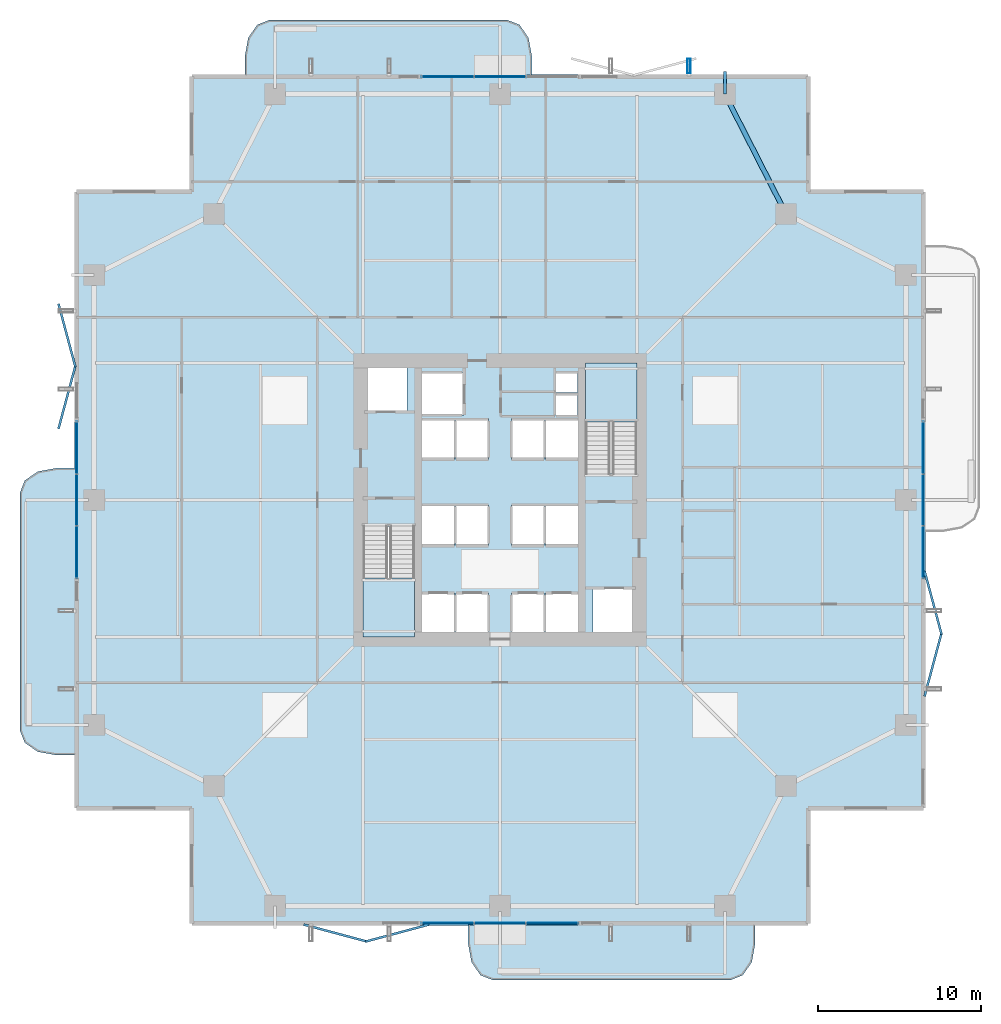
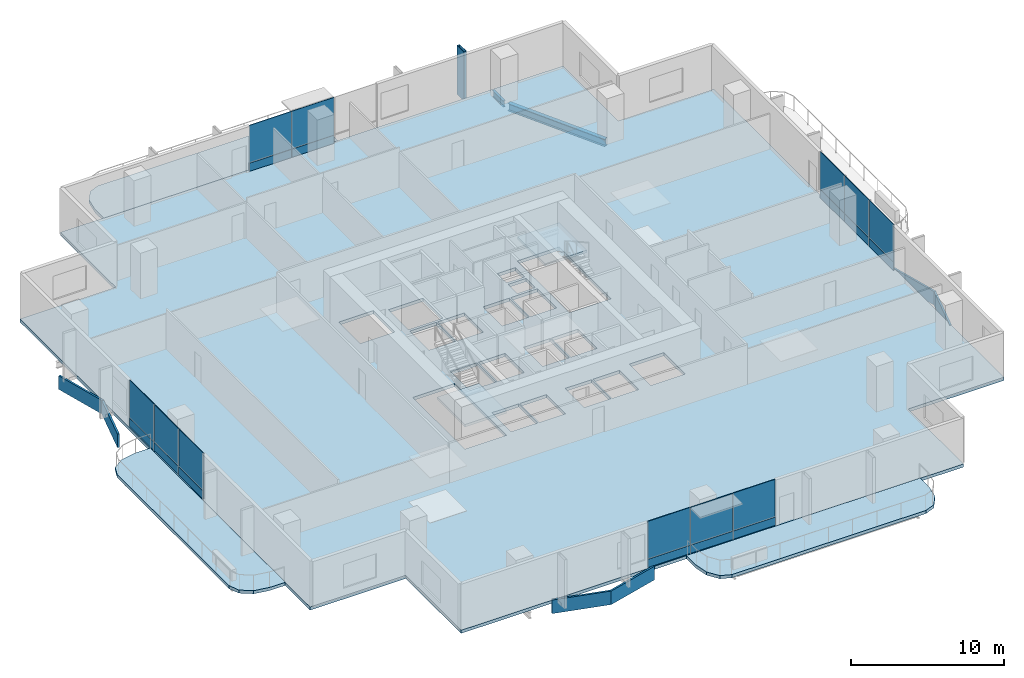
# One storey, part 16 of 24: 28 plates, 6 slabs, 2 beams, 1 member, 6 elements without a shape of their own.
"""IFC4 building model written with IfcOpenShell, lengths in metres."""

from ifc_helpers import new_model, si_unit, direction, frame, origin, origin_2d, place, context, subcontext, project, spatial, polyline, rectangle, hollow_rectangle, i_section, outline, extrude, material, layer, layer_set, material_profile, profile_set, type_object, element, aggregate, save


model = new_model("IFC4")

# Units and contexts
model_context = context("Model", 3, precision=1e-05, world=origin(), true_north=direction((0.0, 1.0)))
body_context = subcontext(model_context, "Body", "Model", "MODEL_VIEW")
ifc_project = project(units=[si_unit("LENGTHUNIT", "METRE"), si_unit("AREAUNIT", "SQUARE_METRE"), si_unit("VOLUMEUNIT", "CUBIC_METRE"), si_unit("PLANEANGLEUNIT", "RADIAN"), si_unit("MASSUNIT", "GRAM", prefix="KILO")], contexts=[model_context])

# Site, building, storey
site_placement = place(None, origin())
site = spatial("IfcSite", under=ifc_project, at=site_placement, CompositionType="ELEMENT")
building_placement = place(site_placement, origin())
building = spatial("IfcBuilding", under=site, at=building_placement, Name="Belovzor Exchange Tower", CompositionType="ELEMENT")
storey_placement = place(building_placement, frame((0.0, 0.0, 129.0)))
storey = spatial("IfcBuildingStorey", under=building, at=storey_placement, Name="L31", CompositionType="ELEMENT", Elevation=129.0)

# Beam
ifc_material_1 = material(Name="Steel S355", Category="steel")
ifc_material_profile_1 = material_profile(ifc_material_1, i_section(OverallWidth=0.199951171875, OverallDepth=0.5, WebThickness=0.01025390625, FlangeThickness=0.01611328125, at=origin_2d()))
ifc_profile_set_1 = profile_set([ifc_material_profile_1], Name="Steel S355")
beam_type_1 = type_object("IfcBeamType", Name="Planted Balcony Cantilever Beam IPE 500", PredefinedType="BEAM", material=ifc_profile_set_1)
beam_1_placement = place(storey_placement, frame((42.60009765625, 53.699951171875, -0.5), z_axis=(0.0, 1.0, 0.0), x_axis=(-1.0, 0.0, 0.0)))
element("IfcBeam", 1, at=beam_1_placement, inside=storey, type_object=beam_type_1, Name="BC-500 Planted Balcony Cantilever Beam IPE 500", PredefinedType="BEAM", context=body_context, shape_type="SweptSolid", body=[
    extrude(i_section(OverallWidth=0.199951171875, OverallDepth=0.5, WebThickness=0.01025390625, FlangeThickness=0.01611328125, at=origin_2d()), origin(), (0.0, 0.0, 1.0), 1.400146484375),
])

# Member
ifc_material_2 = material(Name="Extruded Architectural Terracotta on Steel S355 Carrier", Category="masonry")
ifc_material_profile_2 = material_profile(ifc_material_2, hollow_rectangle(XDim=0.199951171875, YDim=0.89990234375, WallThickness=0.011962890625, at=origin_2d()))
ifc_profile_set_2 = profile_set([ifc_material_profile_2], Name="Extruded Architectural Terracotta on Steel S355 Carrier")
member_type = type_object("IfcMemberType", Name="Sweeping Terracotta Baguette Fin Assembly 1250", PredefinedType="USERDEFINED", material=ifc_profile_set_2)
member_placement = place(storey_placement, frame((40.39990234375, 55.425048828125, -0.25), z_axis=(0.0, 0.0, 1.0), x_axis=(1.0, 0.0, 0.0)))
element("IfcMember", 2, at=member_placement, inside=storey, type_object=member_type, Name="FIN-TC125 Terracotta Facade Fin L31 N4", ObjectType="FIN", PredefinedType="USERDEFINED", context=body_context, shape_type="SweptSolid", body=[
    extrude(hollow_rectangle(XDim=0.199951171875, YDim=0.89990234375, WallThickness=0.011962890625, at=origin_2d()), origin(), (0.0, 0.0, 1.0), 3.89990234375),
])

# Beam
ifc_material_3 = material(Name="Steel S355", Category="steel")
ifc_material_profile_3 = material_profile(ifc_material_3, i_section(OverallWidth=0.300048828125, OverallDepth=0.60009765625, WebThickness=0.015380859375, FlangeThickness=0.030029296875, at=origin_2d()))
ifc_profile_set_3 = profile_set([ifc_material_profile_3], Name="Steel S355")
beam_type_2 = type_object("IfcBeamType", Name="Zone 2 Primary Perimeter Girder HEB 600", PredefinedType="BEAM", material=ifc_profile_set_3)
beam_2_placement = place(storey_placement, frame((46.18798828125, 46.66796875, -0.550048828125), z_axis=(-0.454518593109, 0.890737249989, 0.0), x_axis=(-0.890737249989, -0.454518593109, 0.0)))
element("IfcBeam", 3, at=beam_2_placement, inside=storey, type_object=beam_type_2, Name="FG-Z2 Zone 2 Primary Perimeter Girder HEB 600", PredefinedType="BEAM", context=body_context, shape_type="SweptSolid", body=[
    extrude(i_section(OverallWidth=0.300048828125, OverallDepth=0.60009765625, WebThickness=0.015380859375, FlangeThickness=0.030029296875, at=origin_2d()), origin(), (0.0, 0.0, 1.0), 7.53759765625),
])

# Slab
ifc_material_4 = material(Name="Concrete C40/50", Category="concrete")
ifc_layer_1 = layer(ifc_material_4, 0.25)
ifc_layer_set_1 = layer_set([ifc_layer_1], Name="Concrete C40/50")
slab_type_1 = type_object("IfcSlabType", Name="Composite Concrete Floor Deck Slab 250", PredefinedType="FLOOR", material=ifc_layer_set_1)
slab_1_placement = place(storey_placement, frame((0.0, 0.0, -0.25)))
element("IfcSlab", 4, at=slab_1_placement, inside=storey, type_object=slab_type_1, Name="SL-F250 Structural Slab L31", PredefinedType="FLOOR", context=body_context, shape_type="SweptSolid", body=[
    extrude(outline(polyline([(9.89990234375, 2.699951171875), (47.699951171875, 2.699951171875), (47.699951171875, 9.89990234375), (54.89990234375, 9.89990234375), (54.89990234375, 47.699951171875), (47.699951171875, 47.699951171875), (47.699951171875, 54.89990234375), (9.89990234375, 54.89990234375), (9.89990234375, 47.699951171875), (2.699951171875, 47.699951171875), (2.699951171875, 9.89990234375), (9.89990234375, 9.89990234375), (9.89990234375, 2.699951171875)]), holes=[polyline([(20.39990234375, 27.175048828125), (20.39990234375, 20.39990234375), (23.550048828125, 20.39990234375), (23.550048828125, 27.175048828125), (20.39990234375, 27.175048828125)]), polyline([(37.199951171875, 30.425048828125), (37.199951171875, 37.199951171875), (34.050048828125, 37.199951171875), (34.050048828125, 30.425048828125), (37.199951171875, 30.425048828125)]), polyline([(20.5, 34.199951171875), (23.10009765625, 34.199951171875), (23.10009765625, 37.0), (20.5, 37.0), (20.5, 34.199951171875)]), polyline([(34.5, 20.60009765625), (37.10009765625, 20.60009765625), (37.10009765625, 23.39990234375), (34.5, 23.39990234375), (34.5, 20.60009765625)]), polyline([(24.0, 34.0), (26.60009765625, 34.0), (26.60009765625, 36.60009765625), (24.0, 36.60009765625), (24.0, 34.0)]), polyline([(24.0, 20.60009765625), (26.0, 20.60009765625), (26.0, 23.10009765625), (24.0, 23.10009765625), (24.0, 20.60009765625)]), polyline([(26.10009765625, 20.60009765625), (28.10009765625, 20.60009765625), (28.10009765625, 23.10009765625), (26.10009765625, 23.10009765625), (26.10009765625, 20.60009765625)]), polyline([(29.5, 20.60009765625), (31.5, 20.60009765625), (31.5, 23.10009765625), (29.5, 23.10009765625), (29.5, 20.60009765625)]), polyline([(31.60009765625, 20.60009765625), (33.60009765625, 20.60009765625), (33.60009765625, 23.10009765625), (31.60009765625, 23.10009765625), (31.60009765625, 20.60009765625)]), polyline([(24.0, 26.0), (26.0, 26.0), (26.0, 28.5), (24.0, 28.5), (24.0, 26.0)]), polyline([(26.10009765625, 26.0), (28.10009765625, 26.0), (28.10009765625, 28.5), (26.10009765625, 28.5), (26.10009765625, 26.0)]), polyline([(29.5, 26.0), (31.5, 26.0), (31.5, 28.5), (29.5, 28.5), (29.5, 26.0)]), polyline([(31.60009765625, 26.0), (33.60009765625, 26.0), (33.60009765625, 28.5), (31.60009765625, 28.5), (31.60009765625, 26.0)]), polyline([(24.0, 31.300048828125), (26.0, 31.300048828125), (26.0, 33.800048828125), (24.0, 33.800048828125), (24.0, 31.300048828125)]), polyline([(26.10009765625, 31.300048828125), (28.10009765625, 31.300048828125), (28.10009765625, 33.800048828125), (26.10009765625, 33.800048828125), (26.10009765625, 31.300048828125)]), polyline([(29.5, 31.300048828125), (31.5, 31.300048828125), (31.5, 33.800048828125), (29.5, 33.800048828125), (29.5, 31.300048828125)]), polyline([(31.60009765625, 31.300048828125), (33.60009765625, 31.300048828125), (33.60009765625, 33.800048828125), (31.60009765625, 33.800048828125), (31.60009765625, 31.300048828125)]), polyline([(32.199951171875, 34.0), (33.550048828125, 34.0), (33.550048828125, 35.199951171875), (32.199951171875, 35.199951171875), (32.199951171875, 34.0)]), polyline([(32.199951171875, 35.39990234375), (33.550048828125, 35.39990234375), (33.550048828125, 36.60009765625), (32.199951171875, 36.60009765625), (32.199951171875, 35.39990234375)])]), origin(), (0.0, 0.0, 1.0), 0.25),
])

# Curtain wall, plates
ifc_material_5 = material(Name="Anodised Aluminium Framing", Category="aluminium")
ifc_layer_2 = layer(ifc_material_5, 0.179931640625)
ifc_layer_set_2 = layer_set([ifc_layer_2], Name="Anodised Aluminium Framing")
curtain_wall_type = type_object("IfcCurtainWallType", Name="Recessed Loggia Low-Iron Triple-Glazed Curtain Wall", PredefinedType="NOTDEFINED", material=ifc_layer_set_2)
curtain_wall_1_placement = place(storey_placement, origin())
curtain_wall_1 = element("IfcCurtainWall", 5, at=curtain_wall_1_placement, inside=storey, type_object=curtain_wall_type, Name="CW3 Recessed Loggia Low-Iron Triple-Glazed Curtain Wall L31", PredefinedType="NOTDEFINED")
ifc_material_6 = material(Name="Solar-Control Triple Glazing", Category="glass")
ifc_layer_3 = layer(ifc_material_6, 0.0439453125)
ifc_layer_set_3 = layer_set([ifc_layer_3], Name="Solar-Control Triple Glazing")
plate_type_1 = type_object("IfcPlateType", Name="Insulated Solar Glazing Curtain Panel 44", PredefinedType="CURTAIN_PANEL", material=ifc_layer_set_3)
plate_1_placement = place(storey_placement, frame((32.0, 2.830078125, 0.65185546875), z_axis=(0.0, 0.0, 1.0), x_axis=(-1.0, 0.0, 0.0)))
plate_1 = element("IfcPlate", 6, at=plate_1_placement, type_object=plate_type_1, Name="GLZ-44 Glazed Curtain Panel 1", PredefinedType="CURTAIN_PANEL", context=body_context, shape_type="SweptSolid", body=[
    extrude(rectangle(XDim=3.18408203125, YDim=0.0439453125, at=origin_2d()), origin(), (0.0, 0.0, 1.0), 2.998046875),
])
plate_2_placement = place(storey_placement, frame((28.800048828125, 2.830078125, 0.65185546875), z_axis=(0.0, 0.0, 1.0), x_axis=(-1.0, 0.0, 0.0)))
plate_2 = element("IfcPlate", 7, at=plate_2_placement, type_object=plate_type_1, Name="GLZ-44 Glazed Curtain Panel 2", PredefinedType="CURTAIN_PANEL", context=body_context, shape_type="SweptSolid", body=[
    extrude(rectangle(XDim=3.18408203125, YDim=0.0439453125, at=origin_2d()), origin(), (0.0, 0.0, 1.0), 2.998046875),
])
plate_3_placement = place(storey_placement, frame((25.60009765625, 2.830078125, 0.65185546875), z_axis=(0.0, 0.0, 1.0), x_axis=(-1.0, 0.0, 0.0)))
plate_3 = element("IfcPlate", 8, at=plate_3_placement, type_object=plate_type_1, Name="GLZ-44 Glazed Curtain Panel 3", PredefinedType="CURTAIN_PANEL", context=body_context, shape_type="SweptSolid", body=[
    extrude(rectangle(XDim=3.18408203125, YDim=0.0439453125, at=origin_2d()), origin(), (0.0, 0.0, 1.0), 2.998046875),
])

curtain_wall_2_placement = place(storey_placement, origin())
curtain_wall_2 = element("IfcCurtainWall", 9, at=curtain_wall_2_placement, inside=storey, type_object=curtain_wall_type, Name="CW3 Recessed Loggia Low-Iron Triple-Glazed Curtain Wall L31", PredefinedType="NOTDEFINED")
plate_4_placement = place(storey_placement, frame((25.60009765625, 54.77001953125, 0.65185546875), z_axis=(0.0, 0.0, 1.0), x_axis=(1.0, 0.0, 0.0)))
plate_4 = element("IfcPlate", 10, at=plate_4_placement, type_object=plate_type_1, Name="GLZ-44 Glazed Curtain Panel 1", PredefinedType="CURTAIN_PANEL", context=body_context, shape_type="SweptSolid", body=[
    extrude(rectangle(XDim=3.18408203125, YDim=0.0439453125, at=origin_2d()), origin(), (0.0, 0.0, 1.0), 2.998046875),
])
plate_5_placement = place(storey_placement, frame((28.800048828125, 54.77001953125, 0.65185546875), z_axis=(0.0, 0.0, 1.0), x_axis=(1.0, 0.0, 0.0)))
plate_5 = element("IfcPlate", 11, at=plate_5_placement, type_object=plate_type_1, Name="GLZ-44 Glazed Curtain Panel 2", PredefinedType="CURTAIN_PANEL", context=body_context, shape_type="SweptSolid", body=[
    extrude(rectangle(XDim=3.18408203125, YDim=0.0439453125, at=origin_2d()), origin(), (0.0, 0.0, 1.0), 2.998046875),
])

curtain_wall_3_placement = place(storey_placement, origin())
curtain_wall_3 = element("IfcCurtainWall", 12, at=curtain_wall_3_placement, inside=storey, type_object=curtain_wall_type, Name="CW3 Recessed Loggia Low-Iron Triple-Glazed Curtain Wall L31", PredefinedType="NOTDEFINED")
plate_6_placement = place(storey_placement, frame((2.830078125, 25.60009765625, 0.65185546875), z_axis=(0.0, 0.0, 1.0), x_axis=(0.0, 1.0, 0.0)))
plate_6 = element("IfcPlate", 13, at=plate_6_placement, type_object=plate_type_1, Name="GLZ-44 Glazed Curtain Panel 1", PredefinedType="CURTAIN_PANEL", context=body_context, shape_type="SweptSolid", body=[
    extrude(rectangle(XDim=3.18408203125, YDim=0.0439453125, at=origin_2d()), origin(), (0.0, 0.0, 1.0), 2.998046875),
])
plate_7_placement = place(storey_placement, frame((2.830078125, 28.800048828125, 0.65185546875), z_axis=(0.0, 0.0, 1.0), x_axis=(0.0, 1.0, 0.0)))
plate_7 = element("IfcPlate", 14, at=plate_7_placement, type_object=plate_type_1, Name="GLZ-44 Glazed Curtain Panel 2", PredefinedType="CURTAIN_PANEL", context=body_context, shape_type="SweptSolid", body=[
    extrude(rectangle(XDim=3.18408203125, YDim=0.0439453125, at=origin_2d()), origin(), (0.0, 0.0, 1.0), 2.998046875),
])
plate_8_placement = place(storey_placement, frame((2.830078125, 32.0, 0.65185546875), z_axis=(0.0, 0.0, 1.0), x_axis=(0.0, 1.0, 0.0)))
plate_8 = element("IfcPlate", 15, at=plate_8_placement, type_object=plate_type_1, Name="GLZ-44 Glazed Curtain Panel 3", PredefinedType="CURTAIN_PANEL", context=body_context, shape_type="SweptSolid", body=[
    extrude(rectangle(XDim=3.18408203125, YDim=0.0439453125, at=origin_2d()), origin(), (0.0, 0.0, 1.0), 2.998046875),
])

curtain_wall_4_placement = place(storey_placement, origin())
curtain_wall_4 = element("IfcCurtainWall", 16, at=curtain_wall_4_placement, inside=storey, type_object=curtain_wall_type, Name="CW3 Recessed Loggia Low-Iron Triple-Glazed Curtain Wall L31", PredefinedType="NOTDEFINED")
plate_9_placement = place(storey_placement, frame((54.77001953125, 32.0, 0.65185546875), z_axis=(0.0, 0.0, 1.0), x_axis=(0.0, -1.0, 0.0)))
plate_9 = element("IfcPlate", 17, at=plate_9_placement, type_object=plate_type_1, Name="GLZ-44 Glazed Curtain Panel 1", PredefinedType="CURTAIN_PANEL", context=body_context, shape_type="SweptSolid", body=[
    extrude(rectangle(XDim=3.18408203125, YDim=0.0439453125, at=origin_2d()), origin(), (0.0, 0.0, 1.0), 2.998046875),
])
plate_10_placement = place(storey_placement, frame((54.77001953125, 28.800048828125, 0.65185546875), z_axis=(0.0, 0.0, 1.0), x_axis=(0.0, -1.0, 0.0)))
plate_10 = element("IfcPlate", 18, at=plate_10_placement, type_object=plate_type_1, Name="GLZ-44 Glazed Curtain Panel 2", PredefinedType="CURTAIN_PANEL", context=body_context, shape_type="SweptSolid", body=[
    extrude(rectangle(XDim=3.18408203125, YDim=0.0439453125, at=origin_2d()), origin(), (0.0, 0.0, 1.0), 2.998046875),
])
plate_11_placement = place(storey_placement, frame((54.77001953125, 25.60009765625, 0.65185546875), z_axis=(0.0, 0.0, 1.0), x_axis=(0.0, -1.0, 0.0)))
plate_11 = element("IfcPlate", 19, at=plate_11_placement, type_object=plate_type_1, Name="GLZ-44 Glazed Curtain Panel 3", PredefinedType="CURTAIN_PANEL", context=body_context, shape_type="SweptSolid", body=[
    extrude(rectangle(XDim=3.18408203125, YDim=0.0439453125, at=origin_2d()), origin(), (0.0, 0.0, 1.0), 2.998046875),
])

# Plates
ifc_material_7 = material(Name="Extruded Architectural Terracotta", Category="masonry")
ifc_layer_4 = layer(ifc_material_7, 0.139892578125)
ifc_layer_set_4 = layer_set([ifc_layer_4], Name="Extruded Architectural Terracotta")
plate_type_2 = type_object("IfcPlateType", Name="Mid-Tower Folded Zigzag Terracotta Spandrel Louvre 120", PredefinedType="USERDEFINED", material=ifc_layer_set_4)
for number, where, z_axis, x_axis, name in (
    (20, (18.699951171875, 2.22998046875, -1.06494140625), (0.0, 0.0, 1.0), (0.965812803231, -0.259240485101, 0.0), "LVR-ZZ2 Zigzag Terracotta Spandrel Louvre L31 S1A"),
    (21, (22.5, 2.22998046875, -1.06494140625), (0.0, 0.0, 1.0), (0.965812803231, 0.259240485101, 0.0), "LVR-ZZ2 Zigzag Terracotta Spandrel Louvre L31 S1B"),
    (22, (55.3701171875, 18.699951171875, -1.06494140625), (0.0, 0.0, 1.0), (0.259240485101, 0.965812803231, 0.0), "LVR-ZZ2 Zigzag Terracotta Spandrel Louvre L31 E1A"),
    (23, (55.3701171875, 22.5, -1.06494140625), (0.0, 0.0, 1.0), (-0.259240485101, 0.965812803231, 0.0), "LVR-ZZ2 Zigzag Terracotta Spandrel Louvre L31 E1B"),
    (24, (2.22998046875, 35.10009765625, -1.06494140625), (0.0, 0.0, 1.0), (0.259240485101, 0.965812803231, 0.0), "LVR-ZZ2 Zigzag Terracotta Spandrel Louvre L31 W2A"),
    (25, (2.22998046875, 38.89990234375, -1.06494140625), (0.0, 0.0, 1.0), (-0.259240485101, 0.965812803231, 0.0), "LVR-ZZ2 Zigzag Terracotta Spandrel Louvre L31 W2B"),
):
    element("IfcPlate", number, at=place(storey_placement, frame(where, z_axis=z_axis, x_axis=x_axis)), inside=storey, type_object=plate_type_2, Name=name, ObjectType="SPANDREL_LOUVRE", PredefinedType="USERDEFINED", context=body_context, shape_type="SweptSolid", body=[
        extrude(rectangle(XDim=4.014892578125, YDim=0.139892578125, at=origin_2d()), origin(), (0.0, 0.0, 1.0), 1.080078125),
    ])

# Stair, slab
ifc_material_8 = material(Name="Concrete C40/50", Category="concrete")
stair_type = type_object("IfcStairType", Name="Reinforced Concrete Dogleg Escape Stair 1350", PredefinedType="HALF_TURN_STAIR", material=ifc_material_8)
stair_1_placement = place(storey_placement, origin())
stair_1 = element("IfcStair", 26, at=stair_1_placement, inside=storey, type_object=stair_type, Name="L31 ST-1", PredefinedType="HALF_TURN_STAIR")
ifc_material_9 = material(Name="Concrete C40/50", Category="concrete")
ifc_layer_5 = layer(ifc_material_9, 0.199951171875)
ifc_layer_set_5 = layer_set([ifc_layer_5], Name="Concrete C40/50")
slab_type_2 = type_object("IfcSlabType", Name="Reinforced Concrete Stair Half-Landing Slab 200", PredefinedType="LANDING", material=ifc_layer_set_5)
slab_2_placement = place(storey_placement, frame((0.0, 0.0, 1.75)))
slab_2 = element("IfcSlab", 27, at=slab_2_placement, type_object=slab_type_2, Name="ST-1 landing 1", PredefinedType="LANDING", context=body_context, shape_type="SweptSolid", body=[
    extrude(outline(polyline([(20.39990234375, 24.010009765625), (20.39990234375, 20.39990234375), (23.550048828125, 20.39990234375), (23.550048828125, 24.010009765625), (20.39990234375, 24.010009765625)])), origin(), (0.0, 0.0, 1.0), 0.199951171875),
])
aggregate(stair_1, [slab_2])

stair_2_placement = place(storey_placement, origin())
stair_2 = element("IfcStair", 28, at=stair_2_placement, inside=storey, type_object=stair_type, Name="L31 ST-2", PredefinedType="HALF_TURN_STAIR")
slab_3_placement = place(storey_placement, frame((0.0, 0.0, 1.75)))
slab_3 = element("IfcSlab", 29, at=slab_3_placement, type_object=slab_type_2, Name="ST-2 landing 1", PredefinedType="LANDING", context=body_context, shape_type="SweptSolid", body=[
    extrude(outline(polyline([(37.199951171875, 33.590087890625), (37.199951171875, 37.199951171875), (34.050048828125, 37.199951171875), (34.050048828125, 33.590087890625), (37.199951171875, 33.590087890625)])), origin(), (0.0, 0.0, 1.0), 0.199951171875),
])
aggregate(stair_2, [slab_3])

# Plate
ifc_material_10 = material(Name="Extruded Architectural Terracotta", Category="masonry")
ifc_layer_6 = layer(ifc_material_10, 0.090087890625)
ifc_layer_set_6 = layer_set([ifc_layer_6], Name="Extruded Architectural Terracotta")
plate_type_3 = type_object("IfcPlateType", Name="Terracotta Shadow-Box Spandrel Panel 90", PredefinedType="CURTAIN_PANEL", material=ifc_layer_set_6)
plate_12_placement = place(storey_placement, frame((32.0, 2.830078125, 0.0), z_axis=(0.0, 0.0, 1.0), x_axis=(-1.0, 0.0, 0.0)))
plate_12 = element("IfcPlate", 30, at=plate_12_placement, type_object=plate_type_3, Name="SPD-90 Spandrel Panel 1", PredefinedType="CURTAIN_PANEL", context=body_context, shape_type="SweptSolid", body=[
    extrude(rectangle(XDim=3.18408203125, YDim=0.090087890625, at=origin_2d()), origin(), (0.0, 0.0, 1.0), 0.64794921875),
])

plate_13_placement = place(storey_placement, frame((28.800048828125, 2.830078125, 0.0), z_axis=(0.0, 0.0, 1.0), x_axis=(-1.0, 0.0, 0.0)))
plate_13 = element("IfcPlate", 31, at=plate_13_placement, type_object=plate_type_3, Name="SPD-90 Spandrel Panel 2", PredefinedType="CURTAIN_PANEL", context=body_context, shape_type="SweptSolid", body=[
    extrude(rectangle(XDim=3.18408203125, YDim=0.090087890625, at=origin_2d()), origin(), (0.0, 0.0, 1.0), 0.64794921875),
])

plate_14_placement = place(storey_placement, frame((25.60009765625, 2.830078125, 0.0), z_axis=(0.0, 0.0, 1.0), x_axis=(-1.0, 0.0, 0.0)))
plate_14 = element("IfcPlate", 32, at=plate_14_placement, type_object=plate_type_3, Name="SPD-90 Spandrel Panel 3", PredefinedType="CURTAIN_PANEL", context=body_context, shape_type="SweptSolid", body=[
    extrude(rectangle(XDim=3.18408203125, YDim=0.090087890625, at=origin_2d()), origin(), (0.0, 0.0, 1.0), 0.64794921875),
])

aggregate(curtain_wall_1, [plate_12, plate_1, plate_13, plate_2, plate_14, plate_3])

plate_15_placement = place(storey_placement, frame((25.60009765625, 54.77001953125, 0.0), z_axis=(0.0, 0.0, 1.0), x_axis=(1.0, 0.0, 0.0)))
plate_15 = element("IfcPlate", 33, at=plate_15_placement, type_object=plate_type_3, Name="SPD-90 Spandrel Panel 1", PredefinedType="CURTAIN_PANEL", context=body_context, shape_type="SweptSolid", body=[
    extrude(rectangle(XDim=3.18408203125, YDim=0.090087890625, at=origin_2d()), origin(), (0.0, 0.0, 1.0), 0.64794921875),
])

plate_16_placement = place(storey_placement, frame((28.800048828125, 54.77001953125, 0.0), z_axis=(0.0, 0.0, 1.0), x_axis=(1.0, 0.0, 0.0)))
plate_16 = element("IfcPlate", 34, at=plate_16_placement, type_object=plate_type_3, Name="SPD-90 Spandrel Panel 2", PredefinedType="CURTAIN_PANEL", context=body_context, shape_type="SweptSolid", body=[
    extrude(rectangle(XDim=3.18408203125, YDim=0.090087890625, at=origin_2d()), origin(), (0.0, 0.0, 1.0), 0.64794921875),
])

aggregate(curtain_wall_2, [plate_15, plate_4, plate_16, plate_5])

plate_17_placement = place(storey_placement, frame((2.830078125, 25.60009765625, 0.0), z_axis=(0.0, 0.0, 1.0), x_axis=(0.0, 1.0, 0.0)))
plate_17 = element("IfcPlate", 35, at=plate_17_placement, type_object=plate_type_3, Name="SPD-90 Spandrel Panel 1", PredefinedType="CURTAIN_PANEL", context=body_context, shape_type="SweptSolid", body=[
    extrude(rectangle(XDim=3.18408203125, YDim=0.090087890625, at=origin_2d()), origin(), (0.0, 0.0, 1.0), 0.64794921875),
])

plate_18_placement = place(storey_placement, frame((2.830078125, 28.800048828125, 0.0), z_axis=(0.0, 0.0, 1.0), x_axis=(0.0, 1.0, 0.0)))
plate_18 = element("IfcPlate", 36, at=plate_18_placement, type_object=plate_type_3, Name="SPD-90 Spandrel Panel 2", PredefinedType="CURTAIN_PANEL", context=body_context, shape_type="SweptSolid", body=[
    extrude(rectangle(XDim=3.18408203125, YDim=0.090087890625, at=origin_2d()), origin(), (0.0, 0.0, 1.0), 0.64794921875),
])

plate_19_placement = place(storey_placement, frame((2.830078125, 32.0, 0.0), z_axis=(0.0, 0.0, 1.0), x_axis=(0.0, 1.0, 0.0)))
plate_19 = element("IfcPlate", 37, at=plate_19_placement, type_object=plate_type_3, Name="SPD-90 Spandrel Panel 3", PredefinedType="CURTAIN_PANEL", context=body_context, shape_type="SweptSolid", body=[
    extrude(rectangle(XDim=3.18408203125, YDim=0.090087890625, at=origin_2d()), origin(), (0.0, 0.0, 1.0), 0.64794921875),
])

aggregate(curtain_wall_3, [plate_17, plate_6, plate_18, plate_7, plate_19, plate_8])

plate_20_placement = place(storey_placement, frame((54.77001953125, 32.0, 0.0), z_axis=(0.0, 0.0, 1.0), x_axis=(0.0, -1.0, 0.0)))
plate_20 = element("IfcPlate", 38, at=plate_20_placement, type_object=plate_type_3, Name="SPD-90 Spandrel Panel 1", PredefinedType="CURTAIN_PANEL", context=body_context, shape_type="SweptSolid", body=[
    extrude(rectangle(XDim=3.18408203125, YDim=0.090087890625, at=origin_2d()), origin(), (0.0, 0.0, 1.0), 0.64794921875),
])

plate_21_placement = place(storey_placement, frame((54.77001953125, 28.800048828125, 0.0), z_axis=(0.0, 0.0, 1.0), x_axis=(0.0, -1.0, 0.0)))
plate_21 = element("IfcPlate", 39, at=plate_21_placement, type_object=plate_type_3, Name="SPD-90 Spandrel Panel 2", PredefinedType="CURTAIN_PANEL", context=body_context, shape_type="SweptSolid", body=[
    extrude(rectangle(XDim=3.18408203125, YDim=0.090087890625, at=origin_2d()), origin(), (0.0, 0.0, 1.0), 0.64794921875),
])

plate_22_placement = place(storey_placement, frame((54.77001953125, 25.60009765625, 0.0), z_axis=(0.0, 0.0, 1.0), x_axis=(0.0, -1.0, 0.0)))
plate_22 = element("IfcPlate", 40, at=plate_22_placement, type_object=plate_type_3, Name="SPD-90 Spandrel Panel 3", PredefinedType="CURTAIN_PANEL", context=body_context, shape_type="SweptSolid", body=[
    extrude(rectangle(XDim=3.18408203125, YDim=0.090087890625, at=origin_2d()), origin(), (0.0, 0.0, 1.0), 0.64794921875),
])

aggregate(curtain_wall_4, [plate_20, plate_9, plate_21, plate_10, plate_22, plate_11])

# Slabs
ifc_material_11 = material(Name="Concrete C40/50", Category="concrete")
ifc_layer_7 = layer(ifc_material_11, 0.25)
ifc_layer_set_7 = layer_set([ifc_layer_7], Name="Concrete C40/50")
slab_type_3 = type_object("IfcSlabType", Name="Thermally Broken Planted Balcony Slab 250", PredefinedType="FLOOR", material=ifc_layer_set_7)
slab_4_placement = place(storey_placement, frame((0.0, 0.0, -0.25)))
element("IfcSlab", 41, at=slab_4_placement, inside=storey, type_object=slab_type_3, Name="SL-BAL220 Planted Balcony Loggia L31 South", PredefinedType="FLOOR", context=body_context, shape_type="SweptSolid", body=[
    extrude(outline(polyline([(26.85009765625, 2.715087890625), (26.85009765625, 1.550048828125), (27.051025390625, 0.449951171875), (27.60009765625, -0.35498046875), (28.35009765625, -0.64990234375), (42.949951171875, -0.64990234375), (43.699951171875, -0.35498046875), (44.2490234375, 0.449951171875), (44.449951171875, 1.550048828125), (44.449951171875, 2.715087890625), (26.85009765625, 2.715087890625)])), origin(), (0.0, 0.0, 1.0), 0.25),
])
slab_5_placement = place(storey_placement, frame((0.0, 0.0, -0.25)))
element("IfcSlab", 42, at=slab_5_placement, inside=storey, type_object=slab_type_3, Name="SL-BAL220 Planted Balcony Loggia L31 North", PredefinedType="FLOOR", context=body_context, shape_type="SweptSolid", body=[
    extrude(outline(polyline([(30.75, 54.885009765625), (30.75, 56.050048828125), (30.549072265625, 57.14990234375), (30.0, 57.955078125), (29.25, 58.25), (14.64990234375, 58.25), (13.89990234375, 57.955078125), (13.35107421875, 57.14990234375), (13.14990234375, 56.050048828125), (13.14990234375, 54.885009765625), (30.75, 54.885009765625)])), origin(), (0.0, 0.0, 1.0), 0.25),
])
slab_6_placement = place(storey_placement, frame((0.0, 0.0, -0.25)))
element("IfcSlab", 43, at=slab_6_placement, inside=storey, type_object=slab_type_3, Name="SL-BAL220 Planted Balcony Loggia L31 West", PredefinedType="FLOOR", context=body_context, shape_type="SweptSolid", body=[
    extrude(outline(polyline([(2.715087890625, 30.75), (1.550048828125, 30.75), (0.449951171875, 30.549072265625), (-0.35498046875, 30.0), (-0.64990234375, 29.25), (-0.64990234375, 14.64990234375), (-0.35498046875, 13.89990234375), (0.449951171875, 13.35107421875), (1.550048828125, 13.14990234375), (2.715087890625, 13.14990234375), (2.715087890625, 30.75)])), origin(), (0.0, 0.0, 1.0), 0.25),
])

save(model, "model.ifc")
